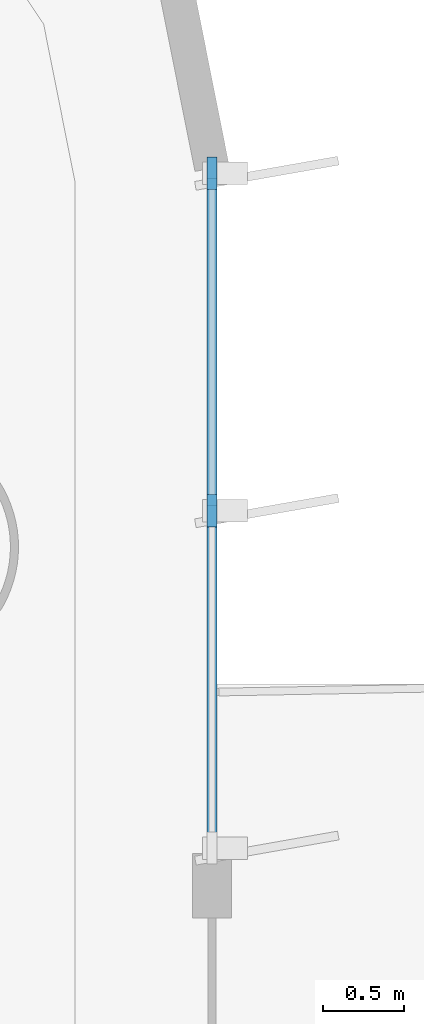
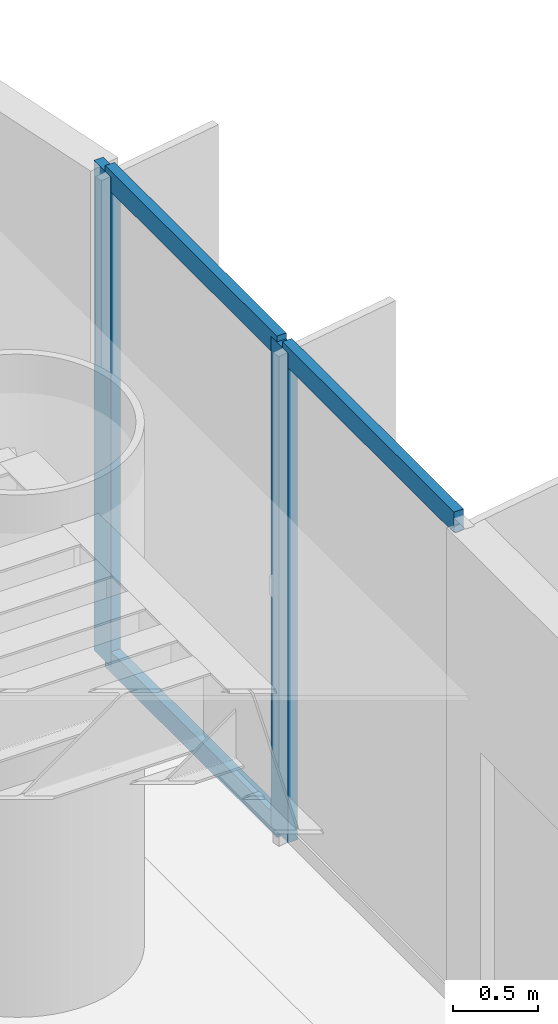
# One storey, part 6 of 17: 5 members, 1 element without a shape of its own.
"""IFC4 building model written with IfcOpenShell, lengths in metres."""

from ifc_helpers import new_model, si_unit, direction, frame, origin, origin_2d, place, context, subcontext, project, spatial, rectangle, extrude, source, transform, mapped, material, layer, layer_set, material_profile, profile_set, type_object, element, aggregate, save


model = new_model("IFC4")

# Units and contexts
model_context = context("Model", 3, precision=1e-05, world=origin(), true_north=direction((0.0, 1.0)))
body_context = subcontext(model_context, "Body", "Model", "MODEL_VIEW")
ifc_project = project(units=[si_unit("LENGTHUNIT", "METRE"), si_unit("AREAUNIT", "SQUARE_METRE"), si_unit("VOLUMEUNIT", "CUBIC_METRE"), si_unit("PLANEANGLEUNIT", "RADIAN"), si_unit("MASSUNIT", "GRAM", prefix="KILO")], contexts=[model_context])

# Site, building, storey
site_placement = place(None, origin())
site = spatial("IfcSite", under=ifc_project, at=site_placement, CompositionType="ELEMENT")
building_placement = place(site_placement, origin())
building = spatial("IfcBuilding", under=site, at=building_placement, Name="Brelvock Crest Care Tower", CompositionType="ELEMENT")
storey_placement = place(building_placement, frame((0.0, 0.0, 45.89990234375)))
storey = spatial("IfcBuildingStorey", under=building, at=storey_placement, Name="L11", CompositionType="ELEMENT", Elevation=45.89990234375)

# Curtain wall, members
ifc_material_1 = material(Name="Dark Glass Double Glazed Low-E", Category="glass")
ifc_layer = layer(ifc_material_1, 0.195068359375, Name="CWS-2")
ifc_layer_set = layer_set([ifc_layer], Name="Dark Glass Double Glazed Low-E")
curtain_wall_type = type_object("IfcCurtainWallType", Name="CWS-2", PredefinedType="NOTDEFINED", material=ifc_layer_set)
curtain_wall_placement = place(storey_placement, origin())
curtain_wall = element("IfcCurtainWall", 1, at=curtain_wall_placement, inside=storey, type_object=curtain_wall_type, Name="L11 Curtain Wall E03A", PredefinedType="NOTDEFINED")
ifc_material_2 = material(Name="Aluminium 6063-T6", Category="aluminium")
ifc_material_profile_1 = material_profile(ifc_material_2, rectangle(XDim=0.06494140625, YDim=0.199951171875, at=origin_2d()), Name="ALU65x200")
ifc_profile_set_1 = profile_set([ifc_material_profile_1], Name="Aluminium 6063-T6")
member_type_1 = type_object("IfcMemberType", Name="CWM-1", PredefinedType="MULLION", material=ifc_profile_set_1)
shared_shape_1 = source(origin(), body_context, "Body", "SweptSolid", [
    extrude(rectangle(XDim=0.06494140625, YDim=0.199951171875, at=origin_2d()), origin(), (0.0, 0.0, 1.0), 3.530029296875),
])
member_1_placement = place(storey_placement, frame((60.0, 32.767578125, 0.0), z_axis=(0.0, 0.0, 1.0), x_axis=(1.0, 0.0, 0.0)))
member_1 = element("IfcMember", 2, at=member_1_placement, type_object=member_type_1, Name="CW-2 mullion 1", PredefinedType="MULLION", context=body_context, shape_type="MappedRepresentation", body=[
    mapped(shared_shape_1, transform((0.0, 0.0, 0.0), x_axis=(1.0, 0.0, 0.0), y_axis=(0.0, 1.0, 0.0), z_axis=(0.0, 0.0, 1.0), scale=1.0)),
])
member_2_placement = place(storey_placement, frame((60.0, 30.675048828125, 0.0), z_axis=(0.0, 0.0, 1.0), x_axis=(1.0, 0.0, 0.0)))
member_2 = element("IfcMember", 3, at=member_2_placement, type_object=member_type_1, Name="CW-2 mullion 2", PredefinedType="MULLION", context=body_context, shape_type="MappedRepresentation", body=[
    mapped(shared_shape_1, transform((0.0, 0.0, 0.0), x_axis=(1.0, 0.0, 0.0), y_axis=(0.0, 1.0, 0.0), z_axis=(0.0, 0.0, 1.0), scale=1.0)),
])
ifc_material_profile_2 = material_profile(ifc_material_2, rectangle(XDim=0.06494140625, YDim=0.14990234375, at=origin_2d()), Name="ALU65x150")
ifc_profile_set_2 = profile_set([ifc_material_profile_2], Name="Aluminium 6063-T6")
member_type_2 = type_object("IfcMemberType", Name="CWT-1", PredefinedType="USERDEFINED", material=ifc_profile_set_2)
shared_shape_2 = source(origin(), body_context, "Body", "SweptSolid", [
    extrude(rectangle(XDim=0.06494140625, YDim=0.14990234375, at=origin_2d()), origin(), (0.0, 0.0, 1.0), 2.027587890625),
])
member_3_placement = place(storey_placement, frame((60.0, 32.735107421875, 0.03271484375), z_axis=(0.0, -1.0, 0.0), x_axis=(1.0, 0.0, 0.0)))
member_3 = element("IfcMember", 4, at=member_3_placement, type_object=member_type_2, Name="CW-2 transom 1.1", ObjectType="TRANSOM", PredefinedType="USERDEFINED", context=body_context, shape_type="MappedRepresentation", body=[
    mapped(shared_shape_2, transform((0.0, 0.0, 0.0), x_axis=(1.0, 0.0, 0.0), y_axis=(0.0, 1.0, 0.0), z_axis=(0.0, 0.0, 1.0), scale=1.0)),
])
member_4_placement = place(storey_placement, frame((60.0, 32.735107421875, 3.49755859375), z_axis=(0.0, -1.0, 0.0), x_axis=(1.0, 0.0, 0.0)))
member_4 = element("IfcMember", 5, at=member_4_placement, type_object=member_type_2, Name="CW-2 transom 1.2", ObjectType="TRANSOM", PredefinedType="USERDEFINED", context=body_context, shape_type="MappedRepresentation", body=[
    mapped(shared_shape_2, transform((0.0, 0.0, 0.0), x_axis=(1.0, 0.0, 0.0), y_axis=(0.0, 1.0, 0.0), z_axis=(0.0, 0.0, 1.0), scale=1.0)),
])
member_5_placement = place(storey_placement, frame((60.0, 30.642578125, 3.49755859375), z_axis=(0.0, -1.0, 0.0), x_axis=(1.0, 0.0, 0.0)))
member_5 = element("IfcMember", 6, at=member_5_placement, type_object=member_type_2, Name="CW-2 transom 2.2", ObjectType="TRANSOM", PredefinedType="USERDEFINED", context=body_context, shape_type="MappedRepresentation", body=[
    mapped(shared_shape_2, transform((0.0, 0.0, 0.0), x_axis=(1.0, 0.0, 0.0), y_axis=(0.0, 1.0, 0.0), z_axis=(0.0, 0.0, 1.0), scale=1.0)),
])
aggregate(curtain_wall, [member_1, member_2, member_3, member_4, member_5])

save(model, "model.ifc")
